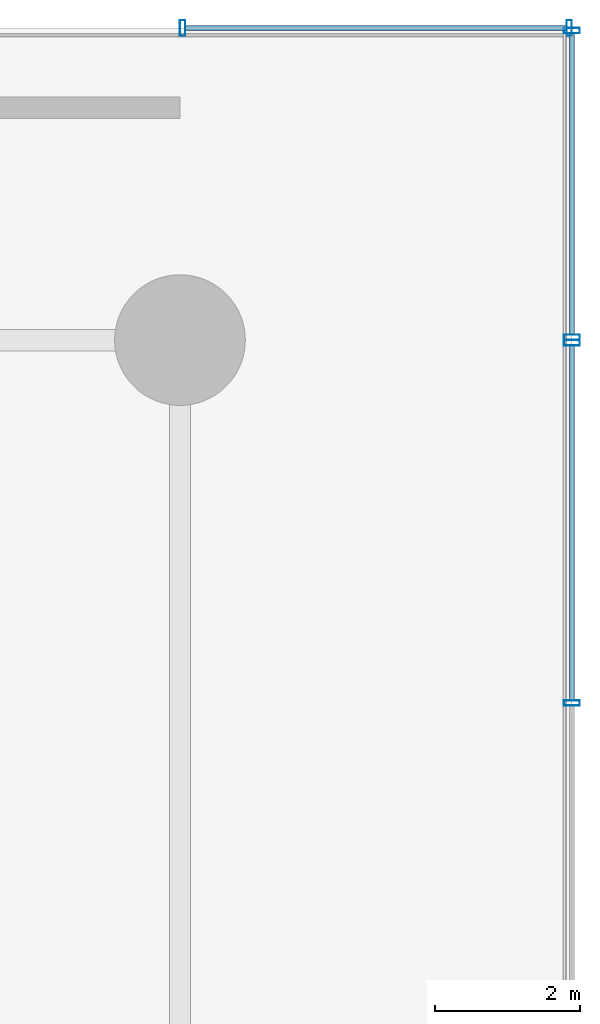
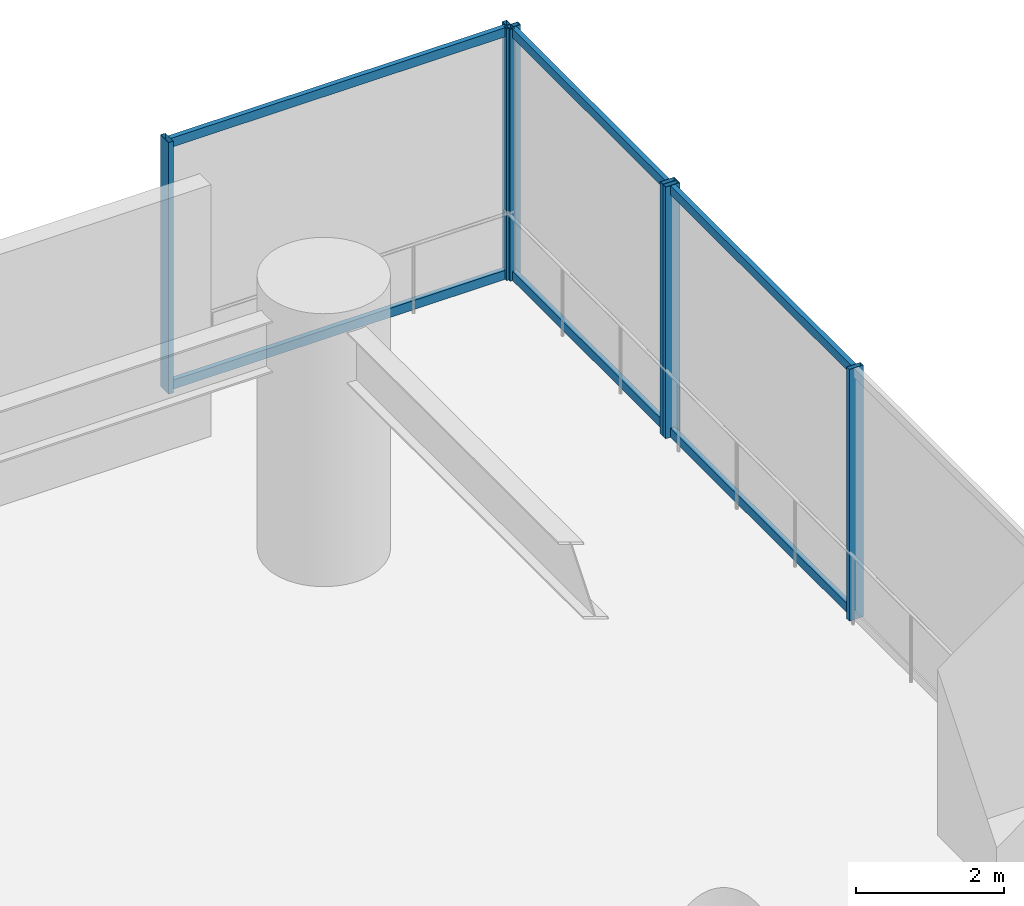
# One storey, part 25 of 35: 12 members, 3 elements without a shape of their own.
"""IFC4 building model written with IfcOpenShell, lengths in metres."""

from ifc_helpers import new_model, si_unit, direction, frame, origin, origin_2d, place, context, subcontext, project, spatial, hollow_rectangle, extrude, material, layer, layer_set, material_profile, profile_set, type_object, element, aggregate, save


model = new_model("IFC4")

# Units and contexts
model_context = context("Model", 3, precision=1e-05, world=origin(), true_north=direction((0.0, 1.0)))
body_context = subcontext(model_context, "Body", "Model", "MODEL_VIEW")
ifc_project = project(units=[si_unit("LENGTHUNIT", "METRE"), si_unit("AREAUNIT", "SQUARE_METRE"), si_unit("VOLUMEUNIT", "CUBIC_METRE"), si_unit("PLANEANGLEUNIT", "RADIAN"), si_unit("MASSUNIT", "GRAM", prefix="KILO")], contexts=[model_context])

# Site, building, storey
site_placement = place(None, origin())
site = spatial("IfcSite", under=ifc_project, at=site_placement, CompositionType="ELEMENT")
building_placement = place(site_placement, origin())
building = spatial("IfcBuilding", under=site, at=building_placement, Name="Surkhivell Harbour Commons", CompositionType="ELEMENT")
storey_placement = place(building_placement, frame((0.0, 0.0, 13.5)))
storey = spatial("IfcBuildingStorey", under=building, at=storey_placement, Name="L03", CompositionType="ELEMENT", Elevation=13.5)

# Curtain wall, members
ifc_material_1 = material(Name="Anodised pale-metal aluminium and insulated glazing", Category="aluminium")
ifc_layer = layer(ifc_material_1, 0.239990234375)
ifc_layer_set = layer_set([ifc_layer], Name="Anodised pale-metal aluminium and insulated glazing")
curtain_wall_type = type_object("IfcCurtainWallType", Name="CW-SYS-POD", PredefinedType="NOTDEFINED", material=ifc_layer_set)
curtain_wall_1_placement = place(storey_placement, origin())
curtain_wall_1 = element("IfcCurtainWall", 1, at=curtain_wall_1_placement, inside=storey, type_object=curtain_wall_type, Name="L03 Curtain Wall CW-L03-N8", PredefinedType="NOTDEFINED")
ifc_material_2 = material(Name="Anodised pale-metal aluminium alloy 6063-T6", Category="aluminium")
ifc_material_profile_1 = material_profile(ifc_material_2, hollow_rectangle(XDim=0.074951171875, YDim=0.219970703125, WallThickness=0.00390625, at=origin_2d()), Name="ALU-MULL-75x220")
ifc_profile_set_1 = profile_set([ifc_material_profile_1], Name="Anodised pale-metal aluminium alloy 6063-T6")
member_type_1 = type_object("IfcMemberType", Name="CWM-220", PredefinedType="MULLION", material=ifc_profile_set_1)
member_1_placement = place(storey_placement, frame((32.4375, 25.89990234375, 0.0), z_axis=(0.0, 0.0, 1.0), x_axis=(1.0, 0.0, 0.0)))
member_1 = element("IfcMember", 2, at=member_1_placement, type_object=member_type_1, Name="CW-POD mullion 1", PredefinedType="MULLION", context=body_context, shape_type="SweptSolid", body=[
    extrude(hollow_rectangle(XDim=0.074951171875, YDim=0.219970703125, WallThickness=0.00390625, at=origin_2d()), origin(), (0.0, 0.0, 1.0), 4.14990234375),
])
member_2_placement = place(storey_placement, frame((37.762451171875, 25.89990234375, 0.0), z_axis=(0.0, 0.0, 1.0), x_axis=(1.0, 0.0, 0.0)))
member_2 = element("IfcMember", 3, at=member_2_placement, type_object=member_type_1, Name="CW-POD mullion 2", PredefinedType="MULLION", context=body_context, shape_type="SweptSolid", body=[
    extrude(hollow_rectangle(XDim=0.074951171875, YDim=0.219970703125, WallThickness=0.00390625, at=origin_2d()), origin(), (0.0, 0.0, 1.0), 4.14990234375),
])

curtain_wall_2_placement = place(storey_placement, origin())
curtain_wall_2 = element("IfcCurtainWall", 4, at=curtain_wall_2_placement, inside=storey, type_object=curtain_wall_type, Name="L03 Curtain Wall CW-L03-E5", PredefinedType="NOTDEFINED")
member_3_placement = place(storey_placement, frame((37.800048828125, 21.5625, 0.0), z_axis=(0.0, 0.0, 1.0), x_axis=(0.0, -1.0, 0.0)))
member_3 = element("IfcMember", 5, at=member_3_placement, type_object=member_type_1, Name="CW-POD mullion 1", PredefinedType="MULLION", context=body_context, shape_type="SweptSolid", body=[
    extrude(hollow_rectangle(XDim=0.074951171875, YDim=0.219970703125, WallThickness=0.00390625, at=origin_2d()), origin(), (0.0, 0.0, 1.0), 4.14990234375),
])
member_4_placement = place(storey_placement, frame((37.800048828125, 16.60107421875, 0.0), z_axis=(0.0, 0.0, 1.0), x_axis=(0.0, -1.0, 0.0)))
member_4 = element("IfcMember", 6, at=member_4_placement, type_object=member_type_1, Name="CW-POD mullion 2", PredefinedType="MULLION", context=body_context, shape_type="SweptSolid", body=[
    extrude(hollow_rectangle(XDim=0.074951171875, YDim=0.219970703125, WallThickness=0.00390625, at=origin_2d()), origin(), (0.0, 0.0, 1.0), 4.14990234375),
])

curtain_wall_3_placement = place(storey_placement, origin())
curtain_wall_3 = element("IfcCurtainWall", 7, at=curtain_wall_3_placement, inside=storey, type_object=curtain_wall_type, Name="L03 Curtain Wall CW-L03-E6", PredefinedType="NOTDEFINED")
member_5_placement = place(storey_placement, frame((37.800048828125, 25.862548828125, 0.0), z_axis=(0.0, 0.0, 1.0), x_axis=(0.0, -1.0, 0.0)))
member_5 = element("IfcMember", 8, at=member_5_placement, type_object=member_type_1, Name="CW-POD mullion 1", PredefinedType="MULLION", context=body_context, shape_type="SweptSolid", body=[
    extrude(hollow_rectangle(XDim=0.074951171875, YDim=0.219970703125, WallThickness=0.00390625, at=origin_2d()), origin(), (0.0, 0.0, 1.0), 4.14990234375),
])
member_6_placement = place(storey_placement, frame((37.800048828125, 21.637451171875, 0.0), z_axis=(0.0, 0.0, 1.0), x_axis=(0.0, -1.0, 0.0)))
member_6 = element("IfcMember", 9, at=member_6_placement, type_object=member_type_1, Name="CW-POD mullion 2", PredefinedType="MULLION", context=body_context, shape_type="SweptSolid", body=[
    extrude(hollow_rectangle(XDim=0.074951171875, YDim=0.219970703125, WallThickness=0.00390625, at=origin_2d()), origin(), (0.0, 0.0, 1.0), 4.14990234375),
])

# Member
ifc_material_profile_2 = material_profile(ifc_material_2, hollow_rectangle(XDim=0.074951171875, YDim=0.14990234375, WallThickness=0.00341796875, at=origin_2d()), Name="ALU-TRAN-75x150")
ifc_profile_set_2 = profile_set([ifc_material_profile_2], Name="Anodised pale-metal aluminium alloy 6063-T6")
member_type_2 = type_object("IfcMemberType", Name="CWT-150", PredefinedType="USERDEFINED", material=ifc_profile_set_2)
member_7_placement = place(storey_placement, frame((32.47509765625, 25.89990234375, 0.074951171875), z_axis=(1.0, 0.0, 0.0), x_axis=(0.0, 1.0, 0.0)))
member_7 = element("IfcMember", 10, at=member_7_placement, type_object=member_type_2, Name="CW-POD transom 1.1", ObjectType="TRANSOM", PredefinedType="USERDEFINED", context=body_context, shape_type="SweptSolid", body=[
    extrude(hollow_rectangle(XDim=0.074951171875, YDim=0.14990234375, WallThickness=0.00341796875, at=origin_2d()), origin(), (0.0, 0.0, 1.0), 5.25),
])

member_8_placement = place(storey_placement, frame((32.47509765625, 25.89990234375, 4.074951171875), z_axis=(1.0, 0.0, 0.0), x_axis=(0.0, 1.0, 0.0)))
member_8 = element("IfcMember", 11, at=member_8_placement, type_object=member_type_2, Name="CW-POD transom 1.2", ObjectType="TRANSOM", PredefinedType="USERDEFINED", context=body_context, shape_type="SweptSolid", body=[
    extrude(hollow_rectangle(XDim=0.074951171875, YDim=0.14990234375, WallThickness=0.00341796875, at=origin_2d()), origin(), (0.0, 0.0, 1.0), 5.25),
])

aggregate(curtain_wall_1, [member_1, member_2, member_7, member_8])

member_9_placement = place(storey_placement, frame((37.800048828125, 21.52490234375, 0.074951171875), z_axis=(0.0, -1.0, 0.0), x_axis=(1.0, 0.0, 0.0)))
member_9 = element("IfcMember", 12, at=member_9_placement, type_object=member_type_2, Name="CW-POD transom 1.1", ObjectType="TRANSOM", PredefinedType="USERDEFINED", context=body_context, shape_type="SweptSolid", body=[
    extrude(hollow_rectangle(XDim=0.074951171875, YDim=0.14990234375, WallThickness=0.00341796875, at=origin_2d()), origin(), (0.0, 0.0, 1.0), 4.886474609375),
])

member_10_placement = place(storey_placement, frame((37.800048828125, 21.52490234375, 4.074951171875), z_axis=(0.0, -1.0, 0.0), x_axis=(1.0, 0.0, 0.0)))
member_10 = element("IfcMember", 13, at=member_10_placement, type_object=member_type_2, Name="CW-POD transom 1.2", ObjectType="TRANSOM", PredefinedType="USERDEFINED", context=body_context, shape_type="SweptSolid", body=[
    extrude(hollow_rectangle(XDim=0.074951171875, YDim=0.14990234375, WallThickness=0.00341796875, at=origin_2d()), origin(), (0.0, 0.0, 1.0), 4.886474609375),
])

aggregate(curtain_wall_2, [member_3, member_4, member_9, member_10])

member_11_placement = place(storey_placement, frame((37.800048828125, 25.824951171875, 0.074951171875), z_axis=(0.0, -1.0, 0.0), x_axis=(1.0, 0.0, 0.0)))
member_11 = element("IfcMember", 14, at=member_11_placement, type_object=member_type_2, Name="CW-POD transom 1.1", ObjectType="TRANSOM", PredefinedType="USERDEFINED", context=body_context, shape_type="SweptSolid", body=[
    extrude(hollow_rectangle(XDim=0.074951171875, YDim=0.14990234375, WallThickness=0.00341796875, at=origin_2d()), origin(), (0.0, 0.0, 1.0), 4.14990234375),
])

member_12_placement = place(storey_placement, frame((37.800048828125, 25.824951171875, 4.074951171875), z_axis=(0.0, -1.0, 0.0), x_axis=(1.0, 0.0, 0.0)))
member_12 = element("IfcMember", 15, at=member_12_placement, type_object=member_type_2, Name="CW-POD transom 1.2", ObjectType="TRANSOM", PredefinedType="USERDEFINED", context=body_context, shape_type="SweptSolid", body=[
    extrude(hollow_rectangle(XDim=0.074951171875, YDim=0.14990234375, WallThickness=0.00341796875, at=origin_2d()), origin(), (0.0, 0.0, 1.0), 4.14990234375),
])

aggregate(curtain_wall_3, [member_5, member_6, member_11, member_12])

save(model, "model.ifc")
